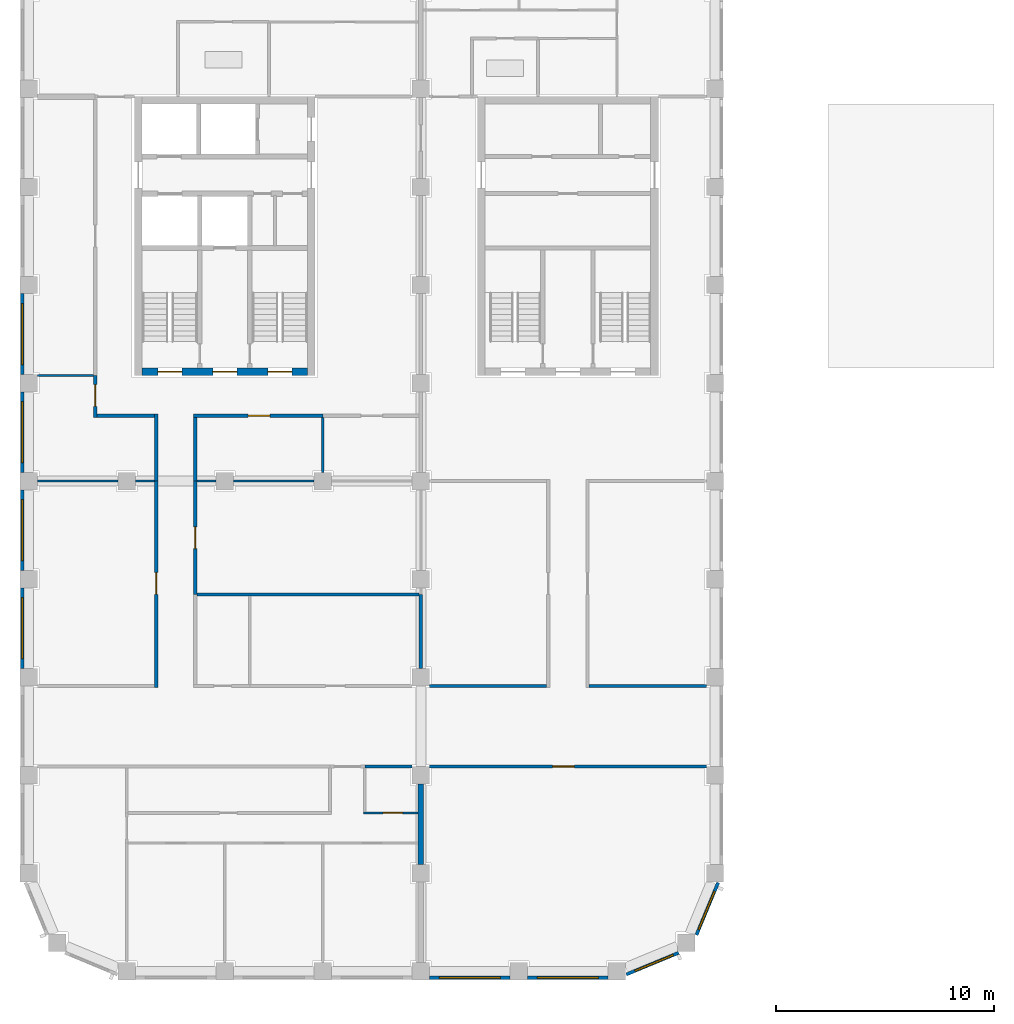
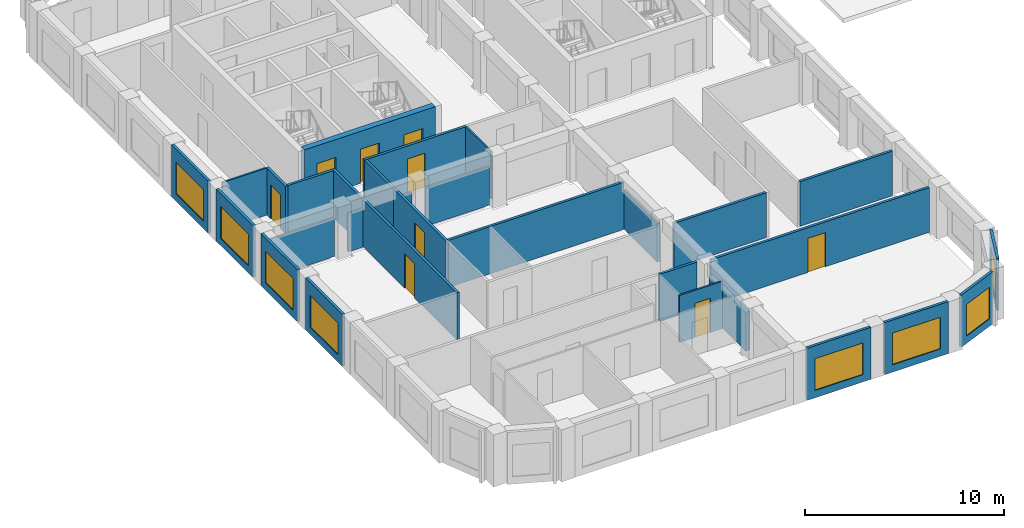
# One storey, part 3 of 9: 30 walls, 9 doors, 8 windows, 17 openings.
"""IFC4 building model written with IfcOpenShell, lengths in metres."""

from ifc_helpers import new_model, si_unit, direction, frame, frame_2d, origin, place, context, subcontext, project, spatial, rectangle, extrude, material, layer, layer_set, type_object, element, fill, save


model = new_model("IFC4")

# Units and contexts
model_context = context("Model", 3, precision=1e-05, world=origin(), true_north=direction((0.0, 1.0)))
body_context = subcontext(model_context, "Body", "Model", "MODEL_VIEW")
ifc_project = project(units=[si_unit("LENGTHUNIT", "METRE"), si_unit("AREAUNIT", "SQUARE_METRE"), si_unit("VOLUMEUNIT", "CUBIC_METRE"), si_unit("PLANEANGLEUNIT", "RADIAN"), si_unit("MASSUNIT", "GRAM", prefix="KILO")], contexts=[model_context])

# Site, building, storey
site_placement = place(None, origin())
site = spatial("IfcSite", under=ifc_project, at=site_placement, CompositionType="ELEMENT")
building_placement = place(site_placement, origin())
building = spatial("IfcBuilding", under=site, at=building_placement, Name="Girih Gate Residences", CompositionType="ELEMENT")
storey_placement = place(building_placement, frame((0.0, 0.0, 179.5)))
storey = spatial("IfcBuildingStorey", under=building, at=storey_placement, Name="L49", CompositionType="ELEMENT", Elevation=179.5)

# Walls
ifc_material_1 = material(Name="Gypsum board on steel studs", Category="steel")
ifc_layer_1 = layer(ifc_material_1, 0.25)
ifc_layer_set_1 = layer_set([ifc_layer_1], Name="Acoustic separating wall 250 mm")
wall_type_1 = type_object("IfcWallType", Name="Acoustic separating wall 250 mm", PredefinedType="PARTITIONING", material=ifc_layer_set_1)
wall_1_placement = place(storey_placement, frame((18.0, 4.89990234375, 0.0), z_axis=(0.0, 0.0, 1.0), x_axis=(0.0, 1.0, 0.0)))
element("IfcWall", 1, at=wall_1_placement, inside=storey, type_object=wall_type_1, Name="L49 partition", PredefinedType="PARTITIONING", context=body_context, shape_type="SweptSolid", body=[
    extrude(rectangle(XDim=3.7001953125, YDim=0.25, at=frame_2d((1.85009765625, 0.0))), origin(), (0.0, 0.0, 1.0), 2.3798828125),
])
ifc_layer_2 = layer(ifc_material_1, 0.14990234375)
ifc_layer_set_2 = layer_set([ifc_layer_2], Name="Compartment wall 150 mm")
wall_type_2 = type_object("IfcWallType", Name="Compartment wall 150 mm", PredefinedType="PARTITIONING", material=ifc_layer_set_2)
wall_2_placement = place(storey_placement, frame((15.425048828125, 9.39990234375, 0.0), z_axis=(0.0, 0.0, 1.0), x_axis=(1.0, 0.0, 0.0)))
element("IfcWall", 2, at=wall_2_placement, inside=storey, type_object=wall_type_2, Name="L49 partition", PredefinedType="PARTITIONING", context=body_context, shape_type="SweptSolid", body=[
    extrude(rectangle(XDim=2.175048828125, YDim=0.14990234375, at=frame_2d((1.08740234375, 0.0))), origin(), (0.0, 0.0, 1.0), 2.89990234375),
])

# Wall, opening, door
wall_3_placement = place(storey_placement, frame((7.64990234375, 22.5, 0.0), z_axis=(0.0, 0.0, 1.0), x_axis=(0.0, -1.0, 0.0)))
wall_3 = element("IfcWall", 3, at=wall_3_placement, inside=storey, type_object=wall_type_2, Name="L49 partition", PredefinedType="PARTITIONING", context=body_context, shape_type="SweptSolid", body=[
    extrude(rectangle(XDim=5.199951171875, YDim=0.14990234375, at=frame_2d((2.60009765625, 0.0))), origin(), (0.0, 0.0, 1.0), 2.89990234375),
])
opening_1_placement = place(wall_3_placement, frame((2.10009765625, 0.0, 0.0)))
opening_1 = element("IfcOpeningElement", 4, at=opening_1_placement, cuts=wall_3, Name="Opening A49-021", PredefinedType="OPENING", context=body_context, shape_type="SweptSolid", body=[
    extrude(rectangle(XDim=1.0, YDim=2.10009765625, at=frame_2d((0.5, 1.050048828125))), frame((0.0, 0.0849609375, 0.0), z_axis=(0.0, -1.0, 0.0), x_axis=(1.0, 0.0, 0.0)), (0.0, 0.0, 1.0), 0.169921875),
])
ifc_material_2 = material(Name="Timber, fire-rated core", Category="wood")
door_type_1 = type_object("IfcDoorType", Name="Amenity room door 1000x2100 FD30S", OperationType="NOTDEFINED", PredefinedType="DOOR", material=ifc_material_2)
door_1_placement = place(opening_1_placement, origin())
door_1 = element("IfcDoor", 5, at=door_1_placement, inside=storey, type_object=door_type_1, Name="Door A49-021", OperationType="SINGLE_SWING_RIGHT", OverallHeight=2.10009765625, OverallWidth=1.0, PredefinedType="DOOR", context=body_context, shape_type="SweptSolid", body=[
    extrude(rectangle(XDim=1.0, YDim=2.10009765625, at=frame_2d((0.5, 1.050048828125))), frame((0.0, 0.02490234375, 0.0), z_axis=(0.0, -1.0, 0.0), x_axis=(1.0, 0.0, 0.0)), (0.0, 0.0, 1.0), 0.050048828125),
])
fill(opening_1, door_1)

# Wall
wall_4_placement = place(storey_placement, frame((7.72509765625, 17.300048828125, 0.0), z_axis=(0.0, 0.0, 1.0), x_axis=(1.0, 0.0, 0.0)))
element("IfcWall", 6, at=wall_4_placement, inside=storey, type_object=wall_type_2, Name="L49 partition", PredefinedType="PARTITIONING", context=body_context, shape_type="SweptSolid", body=[
    extrude(rectangle(XDim=10.199951171875, YDim=0.14990234375, at=frame_2d((5.10009765625, 0.0))), origin(), (0.0, 0.0, 1.0), 2.89990234375),
])

# Wall, opening, door
wall_5_placement = place(storey_placement, frame((31.10009765625, 9.39990234375, 0.0), z_axis=(0.0, 0.0, 1.0), x_axis=(-1.0, 0.0, 0.0)))
wall_5 = element("IfcWall", 7, at=wall_5_placement, inside=storey, type_object=wall_type_2, Name="L49 partition", PredefinedType="PARTITIONING", context=body_context, shape_type="SweptSolid", body=[
    extrude(rectangle(XDim=12.7001953125, YDim=0.14990234375, at=frame_2d((6.35009765625, 0.0))), origin(), (0.0, 0.0, 1.0), 2.75),
])
opening_2_placement = place(wall_5_placement, frame((6.050048828125, 0.0, 0.0)))
opening_2 = element("IfcOpeningElement", 8, at=opening_2_placement, cuts=wall_5, Name="Opening A49-023", PredefinedType="OPENING", context=body_context, shape_type="SweptSolid", body=[
    extrude(rectangle(XDim=1.0, YDim=2.10009765625, at=frame_2d((0.5, 1.050048828125))), frame((0.0, 0.0849609375, 0.0), z_axis=(0.0, -1.0, 0.0), x_axis=(1.0, 0.0, 0.0)), (0.0, 0.0, 1.0), 0.169921875),
])
door_2_placement = place(opening_2_placement, origin())
door_2 = element("IfcDoor", 9, at=door_2_placement, inside=storey, type_object=door_type_1, Name="Door A49-023", OperationType="SINGLE_SWING_RIGHT", OverallHeight=2.10009765625, OverallWidth=1.0, PredefinedType="DOOR", context=body_context, shape_type="SweptSolid", body=[
    extrude(rectangle(XDim=1.0, YDim=2.10009765625, at=frame_2d((0.5, 1.050048828125))), frame((0.0, 0.02490234375, 0.0), z_axis=(0.0, -1.0, 0.0), x_axis=(1.0, 0.0, 0.0)), (0.0, 0.0, 1.0), 0.050048828125),
])
fill(opening_2, door_2)

# Walls
for number, where, z_axis, x_axis, name in (
    (10, (18.39990234375, 13.10009765625, 0.0), (0.0, 0.0, 1.0), (1.0, 0.0, 0.0), "L49 partition"),
    (11, (25.72509765625, 13.10009765625, 0.0), (0.0, 0.0, 1.0), (1.0, 0.0, 0.0), "L49 partition"),
):
    element("IfcWall", number, at=place(storey_placement, frame(where, z_axis=z_axis, x_axis=x_axis)), inside=storey, type_object=wall_type_2, Name=name, PredefinedType="PARTITIONING", context=body_context, shape_type="SweptSolid", body=[
        extrude(rectangle(XDim=5.375, YDim=0.14990234375, at=frame_2d((2.6875, 0.0))), origin(), (0.0, 0.0, 1.0), 2.75),
    ])
wall_6_placement = place(storey_placement, frame((18.0, 13.89990234375, 0.0), z_axis=(0.0, 0.0, 1.0), x_axis=(0.0, 1.0, 0.0)))
element("IfcWall", 12, at=wall_6_placement, inside=storey, type_object=wall_type_2, Name="L49 partition", PredefinedType="PARTITIONING", context=body_context, shape_type="SweptSolid", body=[
    extrude(rectangle(XDim=3.400146484375, YDim=0.14990234375, at=frame_2d((1.7001953125, 0.0))), origin(), (0.0, 0.0, 1.0), 2.3798828125),
])
wall_7_placement = place(storey_placement, frame((5.85009765625, 22.5, 0.0), z_axis=(0.0, 0.0, 1.0), x_axis=(0.0, 1.0, 0.0)))
element("IfcWall", 13, at=wall_7_placement, inside=storey, type_object=wall_type_2, Name="L49 partition", PredefinedType="PARTITIONING", context=body_context, shape_type="SweptSolid", body=[
    extrude(rectangle(XDim=3.074951171875, YDim=0.14990234375, at=frame_2d((1.53759765625, 0.0))), origin(), (0.0, 0.0, 1.0), 2.89990234375),
])
wall_8_placement = place(storey_placement, frame((3.125, 25.5, 0.0), z_axis=(0.0, 0.0, 1.0), x_axis=(1.0, 0.0, 0.0)))
element("IfcWall", 14, at=wall_8_placement, inside=storey, type_object=wall_type_2, Name="L49 partition", PredefinedType="PARTITIONING", context=body_context, shape_type="SweptSolid", body=[
    extrude(rectangle(XDim=2.64990234375, YDim=0.14990234375, at=frame_2d((1.324951171875, 0.0))), origin(), (0.0, 0.0, 1.0), 2.89990234375),
])

# Wall, opening, door
wall_9_placement = place(storey_placement, frame((3.050048828125, 25.425048828125, 0.0), z_axis=(0.0, 0.0, 1.0), x_axis=(0.0, 1.0, 0.0)))
wall_9 = element("IfcWall", 15, at=wall_9_placement, inside=storey, type_object=wall_type_2, Name="L49 partition", PredefinedType="PARTITIONING", context=body_context, shape_type="SweptSolid", body=[
    extrude(rectangle(XDim=1.925048828125, YDim=0.14990234375, at=frame_2d((0.96240234375, 0.0))), origin(), (0.0, 0.0, 1.0), 2.89990234375),
])
opening_3_placement = place(wall_9_placement, frame((0.5, 0.0, 0.0)))
opening_3 = element("IfcOpeningElement", 16, at=opening_3_placement, cuts=wall_9, Name="Opening A49-028", PredefinedType="OPENING", context=body_context, shape_type="SweptSolid", body=[
    extrude(rectangle(XDim=1.0, YDim=2.10009765625, at=frame_2d((0.5, 1.050048828125))), frame((0.0, 0.0849609375, 0.0), z_axis=(0.0, -1.0, 0.0), x_axis=(1.0, 0.0, 0.0)), (0.0, 0.0, 1.0), 0.169921875),
])
door_3_placement = place(opening_3_placement, origin())
door_3 = element("IfcDoor", 17, at=door_3_placement, inside=storey, type_object=door_type_1, Name="Door A49-028", OperationType="SINGLE_SWING_RIGHT", OverallHeight=2.10009765625, OverallWidth=1.0, PredefinedType="DOOR", context=body_context, shape_type="SweptSolid", body=[
    extrude(rectangle(XDim=1.0, YDim=2.10009765625, at=frame_2d((0.5, 1.050048828125))), frame((0.0, 0.02490234375, 0.0), z_axis=(0.0, -1.0, 0.0), x_axis=(1.0, 0.0, 0.0)), (0.0, 0.0, 1.0), 0.050048828125),
])
fill(opening_3, door_3)

wall_10_placement = place(storey_placement, frame((13.5, 25.5, 0.0), z_axis=(0.0, 0.0, 1.0), x_axis=(-1.0, 0.0, 0.0)))
wall_10 = element("IfcWall", 18, at=wall_10_placement, inside=storey, type_object=wall_type_2, Name="L49 partition", PredefinedType="PARTITIONING", context=body_context, shape_type="SweptSolid", body=[
    extrude(rectangle(XDim=5.925048828125, YDim=0.14990234375, at=frame_2d((2.96240234375, 0.0))), origin(), (0.0, 0.0, 1.0), 2.89990234375),
])
opening_4_placement = place(wall_10_placement, frame((2.425048828125, 0.0, 0.0)))
opening_4 = element("IfcOpeningElement", 19, at=opening_4_placement, cuts=wall_10, Name="Opening A49-029", PredefinedType="OPENING", context=body_context, shape_type="SweptSolid", body=[
    extrude(rectangle(XDim=1.0, YDim=2.10009765625, at=frame_2d((0.5, 1.050048828125))), frame((0.0, 0.0849609375, 0.0), z_axis=(0.0, -1.0, 0.0), x_axis=(1.0, 0.0, 0.0)), (0.0, 0.0, 1.0), 0.169921875),
])
door_4_placement = place(opening_4_placement, origin())
door_4 = element("IfcDoor", 20, at=door_4_placement, inside=storey, type_object=door_type_1, Name="Door A49-029", OperationType="SINGLE_SWING_LEFT", OverallHeight=2.10009765625, OverallWidth=1.0, PredefinedType="DOOR", context=body_context, shape_type="SweptSolid", body=[
    extrude(rectangle(XDim=1.0, YDim=2.10009765625, at=frame_2d((0.5, 1.050048828125))), frame((0.0, 0.02490234375, 0.0), z_axis=(0.0, -1.0, 0.0), x_axis=(1.0, 0.0, 0.0)), (0.0, 0.0, 1.0), 0.050048828125),
])
fill(opening_4, door_4)

# Wall
wall_11_placement = place(storey_placement, frame((7.64990234375, 22.5, 0.0), z_axis=(0.0, 0.0, 1.0), x_axis=(0.0, 1.0, 0.0)))
element("IfcWall", 21, at=wall_11_placement, inside=storey, type_object=wall_type_2, Name="L49 partition", PredefinedType="PARTITIONING", context=body_context, shape_type="SweptSolid", body=[
    extrude(rectangle(XDim=2.925048828125, YDim=0.14990234375, at=frame_2d((1.46240234375, 0.0))), origin(), (0.0, 0.0, 1.0), 2.89990234375),
])

# Wall, opening, door
wall_12_placement = place(storey_placement, frame((5.85009765625, 13.02490234375, 0.0), z_axis=(0.0, 0.0, 1.0), x_axis=(0.0, 1.0, 0.0)))
wall_12 = element("IfcWall", 22, at=wall_12_placement, inside=storey, type_object=wall_type_2, Name="L49 partition", PredefinedType="PARTITIONING", context=body_context, shape_type="SweptSolid", body=[
    extrude(rectangle(XDim=9.47509765625, YDim=0.14990234375, at=frame_2d((4.737548828125, 0.0))), origin(), (0.0, 0.0, 1.0), 2.89990234375),
])
opening_5_placement = place(wall_12_placement, frame((4.27490234375, 0.0, 0.0)))
opening_5 = element("IfcOpeningElement", 23, at=opening_5_placement, cuts=wall_12, Name="Opening A49-032", PredefinedType="OPENING", context=body_context, shape_type="SweptSolid", body=[
    extrude(rectangle(XDim=1.0, YDim=2.10009765625, at=frame_2d((0.5, 1.050048828125))), frame((0.0, 0.0849609375, 0.0), z_axis=(0.0, -1.0, 0.0), x_axis=(1.0, 0.0, 0.0)), (0.0, 0.0, 1.0), 0.169921875),
])
door_5_placement = place(opening_5_placement, origin())
door_5 = element("IfcDoor", 24, at=door_5_placement, inside=storey, type_object=door_type_1, Name="Door A49-032", OperationType="SINGLE_SWING_RIGHT", OverallHeight=2.10009765625, OverallWidth=1.0, PredefinedType="DOOR", context=body_context, shape_type="SweptSolid", body=[
    extrude(rectangle(XDim=1.0, YDim=2.10009765625, at=frame_2d((0.5, 1.050048828125))), frame((0.0, 0.02490234375, 0.0), z_axis=(0.0, -1.0, 0.0), x_axis=(1.0, 0.0, 0.0)), (0.0, 0.0, 1.0), 0.050048828125),
])
fill(opening_5, door_5)

# Wall, openings, doors
ifc_material_3 = material(Name="Concrete C60/75", Category="concrete")
ifc_layer_3 = layer(ifc_material_3, 0.35009765625)
ifc_layer_set_3 = layer_set([ifc_layer_3], Name="Core wall RC 350 Concrete C60/75")
wall_type_3 = type_object("IfcWallType", Name="Core wall RC 350 Concrete C60/75", PredefinedType="SOLIDWALL", material=ifc_layer_set_3)
wall_13_placement = place(storey_placement, frame((5.199951171875, 27.52490234375, 0.0), z_axis=(0.0, 0.0, 1.0), x_axis=(1.0, 0.0, 0.0)))
wall_13 = element("IfcWall", 25, at=wall_13_placement, inside=storey, type_object=wall_type_3, Name="Core wall W-S L49", PredefinedType="SOLIDWALL", context=body_context, shape_type="SweptSolid", body=[
    extrude(rectangle(XDim=7.60009765625, YDim=0.35009765625, at=frame_2d((3.800048828125, 0.0))), origin(), (0.0, 0.0, 1.0), 3.199951171875),
])
opening_6_placement = place(wall_13_placement, frame((0.72509765625, 0.0, 0.0)))
opening_6 = element("IfcOpeningElement", 26, at=opening_6_placement, cuts=wall_13, Name="Opening D-L49-W-009", PredefinedType="OPENING", context=body_context, shape_type="SweptSolid", body=[
    extrude(rectangle(XDim=1.10009765625, YDim=2.10009765625, at=frame_2d((0.550048828125, 1.050048828125))), frame((0.0, 0.18505859375, 0.0), z_axis=(0.0, -1.0, 0.0), x_axis=(1.0, 0.0, 0.0)), (0.0, 0.0, 1.0), 0.3701171875),
])
opening_7_placement = place(wall_13_placement, frame((3.25, 0.0, 0.0)))
opening_7 = element("IfcOpeningElement", 27, at=opening_7_placement, cuts=wall_13, Name="Opening D-L49-W-010", PredefinedType="OPENING", context=body_context, shape_type="SweptSolid", body=[
    extrude(rectangle(XDim=1.10009765625, YDim=2.10009765625, at=frame_2d((0.550048828125, 1.050048828125))), frame((0.0, 0.18505859375, 0.0), z_axis=(0.0, -1.0, 0.0), x_axis=(1.0, 0.0, 0.0)), (0.0, 0.0, 1.0), 0.3701171875),
])
opening_8_placement = place(wall_13_placement, frame((5.77490234375, 0.0, 0.0)))
opening_8 = element("IfcOpeningElement", 28, at=opening_8_placement, cuts=wall_13, Name="Opening D-L49-W-011", PredefinedType="OPENING", context=body_context, shape_type="SweptSolid", body=[
    extrude(rectangle(XDim=1.10009765625, YDim=2.10009765625, at=frame_2d((0.550048828125, 1.050048828125))), frame((0.0, 0.18505859375, 0.0), z_axis=(0.0, -1.0, 0.0), x_axis=(1.0, 0.0, 0.0)), (0.0, 0.0, 1.0), 0.3701171875),
])
ifc_material_4 = material(Name="Painted steel, fire-resisting", Category="steel")
door_type_2 = type_object("IfcDoorType", Name="Fire door 1100x2100", OperationType="SINGLE_SWING_LEFT", PredefinedType="DOOR", material=ifc_material_4)
door_6_placement = place(opening_6_placement, origin())
door_6 = element("IfcDoor", 29, at=door_6_placement, inside=storey, type_object=door_type_2, Name="L49 W core door sta-out", OperationType="SINGLE_SWING_LEFT", OverallHeight=2.10009765625, OverallWidth=1.10009765625, PredefinedType="DOOR", context=body_context, shape_type="SweptSolid", body=[
    extrude(rectangle(XDim=1.10009765625, YDim=2.10009765625, at=frame_2d((0.550048828125, 1.050048828125))), frame((0.0, 0.02490234375, 0.0), z_axis=(0.0, -1.0, 0.0), x_axis=(1.0, 0.0, 0.0)), (0.0, 0.0, 1.0), 0.050048828125),
])
fill(opening_6, door_6)
door_7_placement = place(opening_7_placement, origin())
door_7 = element("IfcDoor", 30, at=door_7_placement, inside=storey, type_object=door_type_2, Name="L49 W core door ffl-out", OperationType="SINGLE_SWING_LEFT", OverallHeight=2.10009765625, OverallWidth=1.10009765625, PredefinedType="DOOR", context=body_context, shape_type="SweptSolid", body=[
    extrude(rectangle(XDim=1.10009765625, YDim=2.10009765625, at=frame_2d((0.550048828125, 1.050048828125))), frame((0.0, 0.02490234375, 0.0), z_axis=(0.0, -1.0, 0.0), x_axis=(1.0, 0.0, 0.0)), (0.0, 0.0, 1.0), 0.050048828125),
])
fill(opening_7, door_7)
door_8_placement = place(opening_8_placement, origin())
door_8 = element("IfcDoor", 31, at=door_8_placement, inside=storey, type_object=door_type_2, Name="L49 W core door stb-out", OperationType="SINGLE_SWING_LEFT", OverallHeight=2.10009765625, OverallWidth=1.10009765625, PredefinedType="DOOR", context=body_context, shape_type="SweptSolid", body=[
    extrude(rectangle(XDim=1.10009765625, YDim=2.10009765625, at=frame_2d((0.550048828125, 1.050048828125))), frame((0.0, 0.02490234375, 0.0), z_axis=(0.0, -1.0, 0.0), x_axis=(1.0, 0.0, 0.0)), (0.0, 0.0, 1.0), 0.050048828125),
])
fill(opening_8, door_8)

# Wall, opening, door
ifc_layer_4 = layer(ifc_material_1, 0.10009765625)
ifc_layer_set_4 = layer_set([ifc_layer_4], Name="Partition 100 mm")
wall_type_4 = type_object("IfcWallType", Name="Partition 100 mm", PredefinedType="PARTITIONING", material=ifc_layer_set_4)
wall_14_placement = place(storey_placement, frame((15.375, 7.27001953125, 0.0), z_axis=(0.0, 0.0, 1.0), x_axis=(1.0, 0.0, 0.0)))
wall_14 = element("IfcWall", 32, at=wall_14_placement, inside=storey, type_object=wall_type_4, Name="L49 partition", PredefinedType="PARTITIONING", context=body_context, shape_type="SweptSolid", body=[
    extrude(rectangle(XDim=2.5, YDim=0.10009765625, at=frame_2d((1.25, 0.0))), origin(), (0.0, 0.0, 1.0), 2.89990234375),
])
opening_9_placement = place(wall_14_placement, frame((0.887451171875, 0.0, 0.0)))
opening_9 = element("IfcOpeningElement", 33, at=opening_9_placement, cuts=wall_14, Name="Opening A49-005", PredefinedType="OPENING", context=body_context, shape_type="SweptSolid", body=[
    extrude(rectangle(XDim=0.89990234375, YDim=2.10009765625, at=frame_2d((0.449951171875, 1.050048828125))), frame((0.0, 0.06005859375, 0.0), z_axis=(0.0, -1.0, 0.0), x_axis=(1.0, 0.0, 0.0)), (0.0, 0.0, 1.0), 0.1201171875),
])
ifc_material_5 = material(Name="Timber", Category="wood")
door_type_3 = type_object("IfcDoorType", Name="Kitchen door 900x2100", OperationType="NOTDEFINED", PredefinedType="DOOR", material=ifc_material_5)
door_9_placement = place(opening_9_placement, origin())
door_9 = element("IfcDoor", 34, at=door_9_placement, inside=storey, type_object=door_type_3, Name="Door A49-005", OperationType="SINGLE_SWING_RIGHT", OverallHeight=2.10009765625, OverallWidth=0.89990234375, PredefinedType="DOOR", context=body_context, shape_type="SweptSolid", body=[
    extrude(rectangle(XDim=0.89990234375, YDim=2.10009765625, at=frame_2d((0.449951171875, 1.050048828125))), frame((0.0, 0.02490234375, 0.0), z_axis=(0.0, -1.0, 0.0), x_axis=(1.0, 0.0, 0.0)), (0.0, 0.0, 1.0), 0.050048828125),
])
fill(opening_9, door_9)

# Walls
wall_15_placement = place(storey_placement, frame((7.72509765625, 22.5, 0.0), z_axis=(0.0, 0.0, 1.0), x_axis=(1.0, 0.0, 0.0)))
element("IfcWall", 35, at=wall_15_placement, inside=storey, type_object=wall_type_4, Name="L49 partition", PredefinedType="PARTITIONING", context=body_context, shape_type="SweptSolid", body=[
    extrude(rectangle(XDim=0.875, YDim=0.10009765625, at=frame_2d((0.4375, 0.0))), origin(), (0.0, 0.0, 1.0), 2.3798828125),
])
wall_16_placement = place(storey_placement, frame((9.39990234375, 22.5, 0.0), z_axis=(0.0, 0.0, 1.0), x_axis=(1.0, 0.0, 0.0)))
element("IfcWall", 36, at=wall_16_placement, inside=storey, type_object=wall_type_4, Name="L49 partition", PredefinedType="PARTITIONING", context=body_context, shape_type="SweptSolid", body=[
    extrude(rectangle(XDim=3.7001953125, YDim=0.10009765625, at=frame_2d((1.85009765625, 0.0))), origin(), (0.0, 0.0, 1.0), 2.3798828125),
])
wall_17_placement = place(storey_placement, frame((0.39990234375, 27.35009765625, 0.0), z_axis=(0.0, 0.0, 1.0), x_axis=(1.0, 0.0, 0.0)))
element("IfcWall", 37, at=wall_17_placement, inside=storey, type_object=wall_type_4, Name="L49 partition", PredefinedType="PARTITIONING", context=body_context, shape_type="SweptSolid", body=[
    extrude(rectangle(XDim=2.5751953125, YDim=0.10009765625, at=frame_2d((1.28759765625, 0.0))), origin(), (0.0, 0.0, 1.0), 2.89990234375),
])
wall_18_placement = place(storey_placement, frame((4.89990234375, 22.5, 0.0), z_axis=(0.0, 0.0, 1.0), x_axis=(1.0, 0.0, 0.0)))
element("IfcWall", 38, at=wall_18_placement, inside=storey, type_object=wall_type_4, Name="L49 partition", PredefinedType="PARTITIONING", context=body_context, shape_type="SweptSolid", body=[
    extrude(rectangle(XDim=0.875, YDim=0.10009765625, at=frame_2d((0.4375, 0.0))), origin(), (0.0, 0.0, 1.0), 2.3798828125),
])
wall_19_placement = place(storey_placement, frame((0.39990234375, 22.5, 0.0), z_axis=(0.0, 0.0, 1.0), x_axis=(1.0, 0.0, 0.0)))
element("IfcWall", 39, at=wall_19_placement, inside=storey, type_object=wall_type_4, Name="L49 partition", PredefinedType="PARTITIONING", context=body_context, shape_type="SweptSolid", body=[
    extrude(rectangle(XDim=3.7001953125, YDim=0.10009765625, at=frame_2d((1.85009765625, 0.0))), origin(), (0.0, 0.0, 1.0), 2.3798828125),
])
wall_20_placement = place(storey_placement, frame((13.5, 22.89990234375, 0.0), z_axis=(0.0, 0.0, 1.0), x_axis=(0.0, 1.0, 0.0)))
element("IfcWall", 40, at=wall_20_placement, inside=storey, type_object=wall_type_4, Name="L49 partition", PredefinedType="PARTITIONING", context=body_context, shape_type="SweptSolid", body=[
    extrude(rectangle(XDim=2.525146484375, YDim=0.10009765625, at=frame_2d((1.2626953125, 0.0))), origin(), (0.0, 0.0, 1.0), 2.89990234375),
])

# Wall, opening, window
ifc_material_6 = material(Name="Precast concrete C50/60", Category="concrete")
ifc_layer_5 = layer(ifc_material_6, 0.050048828125, Name="Outer leaf")
ifc_material_7 = material(Name="Rigid PIR insulation")
ifc_layer_6 = layer(ifc_material_7, 0.06005859375, Name="Insulation")
ifc_material_8 = material(Name="Precast concrete C40/50", Category="concrete")
ifc_layer_7 = layer(ifc_material_8, 0.0400390625, Name="Inner leaf")
ifc_layer_set_5 = layer_set([ifc_layer_5, ifc_layer_6, ifc_layer_7], Name="Precast concrete C50/60 external wall 150")
wall_type_5 = type_object("IfcWallType", Name="Precast concrete C50/60 external wall 150", PredefinedType="SOLIDWALL", material=ifc_layer_set_5)
wall_21_placement = place(storey_placement, frame((29.8330078125, 0.8486328125, 0.0), z_axis=(0.0, 0.0, 1.0), x_axis=(-0.923885342263, -0.382669406082, 0.0)))
wall_21 = element("IfcWall", 41, at=wall_21_placement, inside=storey, type_object=wall_type_5, Name="External wall SE0270_0000.0", PredefinedType="SOLIDWALL", context=body_context, shape_type="SweptSolid", body=[
    extrude(rectangle(XDim=2.602294921875, YDim=0.14990234375, at=frame_2d((1.30126953125, 0.0))), origin(), (0.0, 0.0, 1.0), 3.199951171875),
])
opening_10_placement = place(wall_21_placement, frame((0.27001953125, 0.0, 0.449951171875)))
opening_10 = element("IfcOpeningElement", 42, at=opening_10_placement, cuts=wall_21, Name="Opening W-2G", PredefinedType="OPENING", context=body_context, shape_type="SweptSolid", body=[
    extrude(rectangle(XDim=1.89990234375, YDim=1.949951171875, at=frame_2d((0.949951171875, 0.97509765625))), frame((0.0, 0.0849609375, 0.0), z_axis=(0.0, -1.0, 0.0), x_axis=(1.0, 0.0, 0.0)), (0.0, 0.0, 1.0), 0.169921875),
])
ifc_material_9 = material(Name="Double glazing in aluminium frame", Category="aluminium")
window_type_1 = type_object("IfcWindowType", Name="Window W-2G 1900x1950", PartitioningType="SINGLE_PANEL", PredefinedType="WINDOW", material=ifc_material_9)
window_1_placement = place(opening_10_placement, origin())
window_1 = element("IfcWindow", 43, at=window_1_placement, inside=storey, type_object=window_type_1, Name="Window W-2G SE0270_0000.0", OverallHeight=1.949951171875, OverallWidth=1.89990234375, PartitioningType="SINGLE_PANEL", PredefinedType="WINDOW", context=body_context, shape_type="SweptSolid", body=[
    extrude(rectangle(XDim=1.89990234375, YDim=1.949951171875, at=frame_2d((0.949951171875, 0.97509765625))), frame((0.0, 0.030029296875, 0.0), z_axis=(0.0, -1.0, 0.0), x_axis=(1.0, 0.0, 0.0)), (0.0, 0.0, 1.0), 0.06005859375),
])
fill(opening_10, window_1)

wall_22_placement = place(storey_placement, frame((31.647216796875, 4.0712890625, 0.0), z_axis=(0.0, 0.0, 1.0), x_axis=(-0.382669406082, -0.923885342263, 0.0)))
wall_22 = element("IfcWall", 44, at=wall_22_placement, inside=storey, type_object=wall_type_5, Name="External wall SE0302_0013.0", PredefinedType="SOLIDWALL", context=body_context, shape_type="SweptSolid", body=[
    extrude(rectangle(XDim=2.602294921875, YDim=0.14990234375, at=frame_2d((1.30126953125, 0.0))), origin(), (0.0, 0.0, 1.0), 3.199951171875),
])
opening_11_placement = place(wall_22_placement, frame((0.432373046875, 0.0, 0.449951171875)))
opening_11 = element("IfcOpeningElement", 45, at=opening_11_placement, cuts=wall_22, Name="Opening W-2G", PredefinedType="OPENING", context=body_context, shape_type="SweptSolid", body=[
    extrude(rectangle(XDim=1.89990234375, YDim=1.949951171875, at=frame_2d((0.949951171875, 0.97509765625))), frame((0.0, 0.0849609375, 0.0), z_axis=(0.0, -1.0, 0.0), x_axis=(1.0, 0.0, 0.0)), (0.0, 0.0, 1.0), 0.169921875),
])
window_2_placement = place(opening_11_placement, origin())
window_2 = element("IfcWindow", 46, at=window_2_placement, inside=storey, type_object=window_type_1, Name="Window W-2G SE0302_0013.0", OverallHeight=1.949951171875, OverallWidth=1.89990234375, PartitioningType="SINGLE_PANEL", PredefinedType="WINDOW", context=body_context, shape_type="SweptSolid", body=[
    extrude(rectangle(XDim=1.89990234375, YDim=1.949951171875, at=frame_2d((0.949951171875, 0.97509765625))), frame((0.0, 0.030029296875, 0.0), z_axis=(0.0, -1.0, 0.0), x_axis=(1.0, 0.0, 0.0)), (0.0, 0.0, 1.0), 0.06005859375),
])
fill(opening_11, window_2)

wall_23_placement = place(storey_placement, frame((-0.300048828125, 27.39990234375, 0.0), z_axis=(0.0, 0.0, 1.0), x_axis=(0.0, 1.0, 0.0)))
wall_23 = element("IfcWall", 47, at=wall_23_placement, inside=storey, type_object=wall_type_5, Name="External wall W0000_0450.3", PredefinedType="SOLIDWALL", context=body_context, shape_type="SweptSolid", body=[
    extrude(rectangle(XDim=3.7001953125, YDim=0.14990234375, at=frame_2d((1.85009765625, 0.0))), origin(), (0.0, 0.0, 1.0), 3.199951171875),
])
opening_12_placement = place(wall_23_placement, frame((0.449951171875, 0.0, 0.449951171875)))
opening_12 = element("IfcOpeningElement", 48, at=opening_12_placement, cuts=wall_23, Name="Opening W-1B", PredefinedType="OPENING", context=body_context, shape_type="SweptSolid", body=[
    extrude(rectangle(XDim=2.800048828125, YDim=1.949951171875, at=frame_2d((1.39990234375, 0.97509765625))), frame((0.0, 0.0849609375, 0.0), z_axis=(0.0, -1.0, 0.0), x_axis=(1.0, 0.0, 0.0)), (0.0, 0.0, 1.0), 0.169921875),
])
window_type_2 = type_object("IfcWindowType", Name="Window W-1B 2800x1950", PartitioningType="SINGLE_PANEL", PredefinedType="WINDOW", material=ifc_material_9)
window_3_placement = place(opening_12_placement, origin())
window_3 = element("IfcWindow", 49, at=window_3_placement, inside=storey, type_object=window_type_2, Name="Window W-1B W0000_0450.3", OverallHeight=1.949951171875, OverallWidth=2.800048828125, PartitioningType="SINGLE_PANEL", PredefinedType="WINDOW", context=body_context, shape_type="SweptSolid", body=[
    extrude(rectangle(XDim=2.800048828125, YDim=1.949951171875, at=frame_2d((1.39990234375, 0.97509765625))), frame((0.0, 0.030029296875, 0.0), z_axis=(0.0, -1.0, 0.0), x_axis=(1.0, 0.0, 0.0)), (0.0, 0.0, 1.0), 0.06005859375),
])
fill(opening_12, window_3)

wall_24_placement = place(storey_placement, frame((-0.300048828125, 22.89990234375, 0.0), z_axis=(0.0, 0.0, 1.0), x_axis=(0.0, 1.0, 0.0)))
wall_24 = element("IfcWall", 50, at=wall_24_placement, inside=storey, type_object=wall_type_5, Name="External wall W0000_0450.4", PredefinedType="SOLIDWALL", context=body_context, shape_type="SweptSolid", body=[
    extrude(rectangle(XDim=3.7001953125, YDim=0.14990234375, at=frame_2d((1.85009765625, 0.0))), origin(), (0.0, 0.0, 1.0), 3.199951171875),
])
opening_13_placement = place(wall_24_placement, frame((0.449951171875, 0.0, 0.449951171875)))
opening_13 = element("IfcOpeningElement", 51, at=opening_13_placement, cuts=wall_24, Name="Opening W-1B", PredefinedType="OPENING", context=body_context, shape_type="SweptSolid", body=[
    extrude(rectangle(XDim=2.800048828125, YDim=1.949951171875, at=frame_2d((1.39990234375, 0.97509765625))), frame((0.0, 0.0849609375, 0.0), z_axis=(0.0, -1.0, 0.0), x_axis=(1.0, 0.0, 0.0)), (0.0, 0.0, 1.0), 0.169921875),
])
window_4_placement = place(opening_13_placement, origin())
window_4 = element("IfcWindow", 52, at=window_4_placement, inside=storey, type_object=window_type_2, Name="Window W-1B W0000_0450.4", OverallHeight=1.949951171875, OverallWidth=2.800048828125, PartitioningType="SINGLE_PANEL", PredefinedType="WINDOW", context=body_context, shape_type="SweptSolid", body=[
    extrude(rectangle(XDim=2.800048828125, YDim=1.949951171875, at=frame_2d((1.39990234375, 0.97509765625))), frame((0.0, 0.030029296875, 0.0), z_axis=(0.0, -1.0, 0.0), x_axis=(1.0, 0.0, 0.0)), (0.0, 0.0, 1.0), 0.06005859375),
])
fill(opening_13, window_4)

wall_25_placement = place(storey_placement, frame((-0.300048828125, 18.39990234375, 0.0), z_axis=(0.0, 0.0, 1.0), x_axis=(0.0, 1.0, 0.0)))
wall_25 = element("IfcWall", 53, at=wall_25_placement, inside=storey, type_object=wall_type_5, Name="External wall W0000_0450.5", PredefinedType="SOLIDWALL", context=body_context, shape_type="SweptSolid", body=[
    extrude(rectangle(XDim=3.7001953125, YDim=0.14990234375, at=frame_2d((1.85009765625, 0.0))), origin(), (0.0, 0.0, 1.0), 3.199951171875),
])
opening_14_placement = place(wall_25_placement, frame((0.449951171875, 0.0, 0.449951171875)))
opening_14 = element("IfcOpeningElement", 54, at=opening_14_placement, cuts=wall_25, Name="Opening W-1B", PredefinedType="OPENING", context=body_context, shape_type="SweptSolid", body=[
    extrude(rectangle(XDim=2.800048828125, YDim=1.949951171875, at=frame_2d((1.39990234375, 0.97509765625))), frame((0.0, 0.0849609375, 0.0), z_axis=(0.0, -1.0, 0.0), x_axis=(1.0, 0.0, 0.0)), (0.0, 0.0, 1.0), 0.169921875),
])
window_5_placement = place(opening_14_placement, origin())
window_5 = element("IfcWindow", 55, at=window_5_placement, inside=storey, type_object=window_type_2, Name="Window W-1B W0000_0450.5", OverallHeight=1.949951171875, OverallWidth=2.800048828125, PartitioningType="SINGLE_PANEL", PredefinedType="WINDOW", context=body_context, shape_type="SweptSolid", body=[
    extrude(rectangle(XDim=2.800048828125, YDim=1.949951171875, at=frame_2d((1.39990234375, 0.97509765625))), frame((0.0, 0.030029296875, 0.0), z_axis=(0.0, -1.0, 0.0), x_axis=(1.0, 0.0, 0.0)), (0.0, 0.0, 1.0), 0.06005859375),
])
fill(opening_14, window_5)

wall_26_placement = place(storey_placement, frame((-0.300048828125, 13.89990234375, 0.0), z_axis=(0.0, 0.0, 1.0), x_axis=(0.0, 1.0, 0.0)))
wall_26 = element("IfcWall", 56, at=wall_26_placement, inside=storey, type_object=wall_type_5, Name="External wall W0000_0450.6", PredefinedType="SOLIDWALL", context=body_context, shape_type="SweptSolid", body=[
    extrude(rectangle(XDim=3.7001953125, YDim=0.14990234375, at=frame_2d((1.85009765625, 0.0))), origin(), (0.0, 0.0, 1.0), 3.199951171875),
])
opening_15_placement = place(wall_26_placement, frame((0.449951171875, 0.0, 0.449951171875)))
opening_15 = element("IfcOpeningElement", 57, at=opening_15_placement, cuts=wall_26, Name="Opening W-1B", PredefinedType="OPENING", context=body_context, shape_type="SweptSolid", body=[
    extrude(rectangle(XDim=2.800048828125, YDim=1.949951171875, at=frame_2d((1.39990234375, 0.97509765625))), frame((0.0, 0.0849609375, 0.0), z_axis=(0.0, -1.0, 0.0), x_axis=(1.0, 0.0, 0.0)), (0.0, 0.0, 1.0), 0.169921875),
])
window_6_placement = place(opening_15_placement, origin())
window_6 = element("IfcWindow", 58, at=window_6_placement, inside=storey, type_object=window_type_2, Name="Window W-1B W0000_0450.6", OverallHeight=1.949951171875, OverallWidth=2.800048828125, PartitioningType="SINGLE_PANEL", PredefinedType="WINDOW", context=body_context, shape_type="SweptSolid", body=[
    extrude(rectangle(XDim=2.800048828125, YDim=1.949951171875, at=frame_2d((1.39990234375, 0.97509765625))), frame((0.0, 0.030029296875, 0.0), z_axis=(0.0, -1.0, 0.0), x_axis=(1.0, 0.0, 0.0)), (0.0, 0.0, 1.0), 0.06005859375),
])
fill(opening_15, window_6)

wall_27_placement = place(storey_placement, frame((22.10009765625, -0.300048828125, 0.0), z_axis=(0.0, 0.0, 1.0), x_axis=(-1.0, 0.0, 0.0)))
wall_27 = element("IfcWall", 59, at=wall_27_placement, inside=storey, type_object=wall_type_5, Name="External wall S0045_0000.3", PredefinedType="SOLIDWALL", context=body_context, shape_type="SweptSolid", body=[
    extrude(rectangle(XDim=3.7001953125, YDim=0.14990234375, at=frame_2d((1.85009765625, 0.0))), origin(), (0.0, 0.0, 1.0), 3.199951171875),
])
opening_16_placement = place(wall_27_placement, frame((0.449951171875, 0.0, 0.449951171875)))
opening_16 = element("IfcOpeningElement", 60, at=opening_16_placement, cuts=wall_27, Name="Opening W-1B", PredefinedType="OPENING", context=body_context, shape_type="SweptSolid", body=[
    extrude(rectangle(XDim=2.800048828125, YDim=1.949951171875, at=frame_2d((1.39990234375, 0.97509765625))), frame((0.0, 0.0849609375, 0.0), z_axis=(0.0, -1.0, 0.0), x_axis=(1.0, 0.0, 0.0)), (0.0, 0.0, 1.0), 0.169921875),
])
window_7_placement = place(opening_16_placement, origin())
window_7 = element("IfcWindow", 61, at=window_7_placement, inside=storey, type_object=window_type_2, Name="Window W-1B S0045_0000.3", OverallHeight=1.949951171875, OverallWidth=2.800048828125, PartitioningType="SINGLE_PANEL", PredefinedType="WINDOW", context=body_context, shape_type="SweptSolid", body=[
    extrude(rectangle(XDim=2.800048828125, YDim=1.949951171875, at=frame_2d((1.39990234375, 0.97509765625))), frame((0.0, 0.030029296875, 0.0), z_axis=(0.0, -1.0, 0.0), x_axis=(1.0, 0.0, 0.0)), (0.0, 0.0, 1.0), 0.06005859375),
])
fill(opening_16, window_7)

wall_28_placement = place(storey_placement, frame((26.60009765625, -0.300048828125, 0.0), z_axis=(0.0, 0.0, 1.0), x_axis=(-1.0, 0.0, 0.0)))
wall_28 = element("IfcWall", 62, at=wall_28_placement, inside=storey, type_object=wall_type_5, Name="External wall S0045_0000.4", PredefinedType="SOLIDWALL", context=body_context, shape_type="SweptSolid", body=[
    extrude(rectangle(XDim=3.7001953125, YDim=0.14990234375, at=frame_2d((1.85009765625, 0.0))), origin(), (0.0, 0.0, 1.0), 3.199951171875),
])
opening_17_placement = place(wall_28_placement, frame((0.449951171875, 0.0, 0.449951171875)))
opening_17 = element("IfcOpeningElement", 63, at=opening_17_placement, cuts=wall_28, Name="Opening W-1B", PredefinedType="OPENING", context=body_context, shape_type="SweptSolid", body=[
    extrude(rectangle(XDim=2.800048828125, YDim=1.949951171875, at=frame_2d((1.39990234375, 0.97509765625))), frame((0.0, 0.0849609375, 0.0), z_axis=(0.0, -1.0, 0.0), x_axis=(1.0, 0.0, 0.0)), (0.0, 0.0, 1.0), 0.169921875),
])
window_8_placement = place(opening_17_placement, origin())
window_8 = element("IfcWindow", 64, at=window_8_placement, inside=storey, type_object=window_type_2, Name="Window W-1B S0045_0000.4", OverallHeight=1.949951171875, OverallWidth=2.800048828125, PartitioningType="SINGLE_PANEL", PredefinedType="WINDOW", context=body_context, shape_type="SweptSolid", body=[
    extrude(rectangle(XDim=2.800048828125, YDim=1.949951171875, at=frame_2d((1.39990234375, 0.97509765625))), frame((0.0, 0.030029296875, 0.0), z_axis=(0.0, -1.0, 0.0), x_axis=(1.0, 0.0, 0.0)), (0.0, 0.0, 1.0), 0.06005859375),
])
fill(opening_17, window_8)

save(model, "model.ifc")
